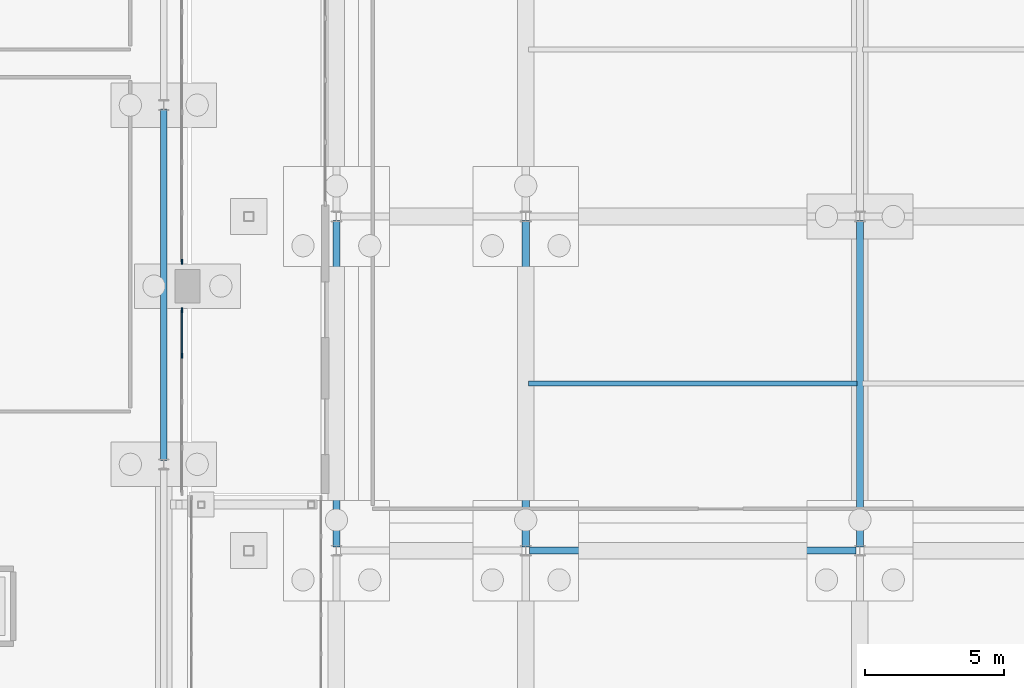
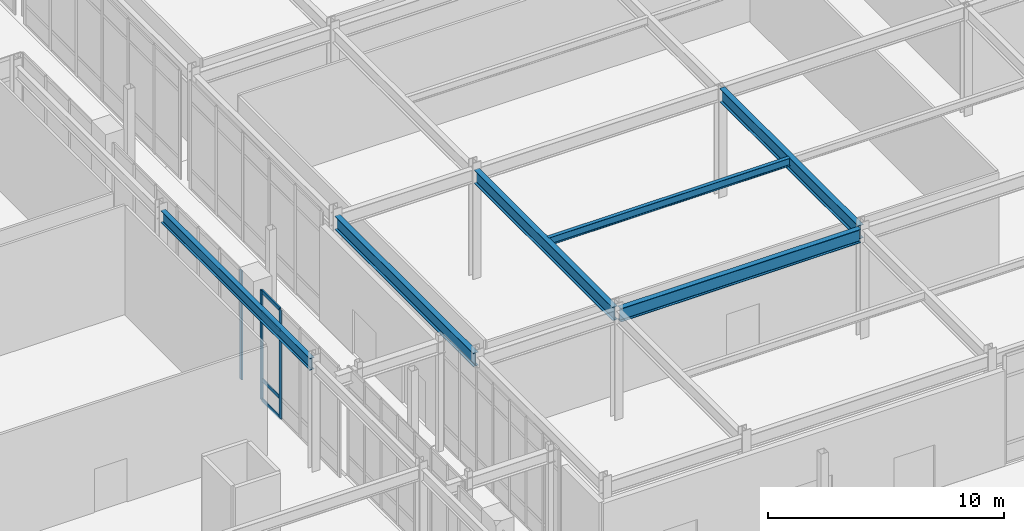
# One storey, part 58 of 143: 7 members, 6 beams, 2 elements without a shape of their own.
"""IFC4 building model written with IfcOpenShell, lengths in metres."""

from ifc_helpers import new_model, si_unit, derived_unit, direction, frame, origin, origin_2d, place, context, subcontext, project, spatial, rectangle, i_section, extrude, material, layer, layer_set, material_profile, profile_set, type_object, element, aggregate, save


model = new_model("IFC4")

# Units and contexts
model_context = context("Model", 3, precision=1e-05, world=origin(), true_north=direction((0.0, 1.0)))
body_context = subcontext(model_context, "Body", "Model", "MODEL_VIEW")
ifc_project = project(units=[si_unit("LENGTHUNIT", "METRE"), si_unit("AREAUNIT", "SQUARE_METRE"), si_unit("VOLUMEUNIT", "CUBIC_METRE"), si_unit("PLANEANGLEUNIT", "RADIAN"), si_unit("MASSUNIT", "GRAM", prefix="KILO"), derived_unit("THERMALTRANSMITTANCEUNIT", [(si_unit("MASSUNIT", "GRAM", prefix="KILO"), 1), (si_unit("TIMEUNIT", "SECOND"), -3), (si_unit("THERMODYNAMICTEMPERATUREUNIT", "KELVIN"), -1)])], contexts=[model_context])

# Site, building, storey
site_placement = place(None, origin())
site = spatial("IfcSite", under=ifc_project, at=site_placement, CompositionType="ELEMENT")
building_placement = place(site_placement, origin())
building = spatial("IfcBuilding", under=site, at=building_placement, Name="Valcora Ridge Arena", CompositionType="ELEMENT")
storey_placement = place(building_placement, origin())
storey = spatial("IfcBuildingStorey", under=building, at=storey_placement, Name="L00", CompositionType="ELEMENT", Elevation=0.0)

# Beams
ifc_material_1 = material(Name="Steel ASTM A572 Grade 50", Category="steel")
ifc_material_profile_1 = material_profile(ifc_material_1, i_section(OverallWidth=0.22900390625, OverallDepth=0.612060546875, WebThickness=0.011962890625, FlangeThickness=0.01953125, FilletRadius=0.01806640625, at=origin_2d()), Name="W24X84")
ifc_profile_set_1 = profile_set([ifc_material_profile_1], Name="Steel ASTM A572 Grade 50")
beam_type_1 = type_object("IfcBeamType", Name="TY-BEAM-G-W24X84-Y", PredefinedType="BEAM", material=ifc_profile_set_1)
beam_1_placement = place(storey_placement, frame((131.0, 19.239990234375, 5.333984375), z_axis=(0.0, 1.0, 0.0), x_axis=(-1.0, 0.0, 0.0)))
element("IfcBeam", 1, at=beam_1_placement, inside=storey, type_object=beam_type_1, Name="G-W24X84-Y BEM-G-W24X84-Y-0007", PredefinedType="BEAM", context=body_context, shape_type="SweptSolid", body=[
    extrude(i_section(OverallWidth=0.22900390625, OverallDepth=0.612060546875, WebThickness=0.011962890625, FlangeThickness=0.01953125, FilletRadius=0.01806640625, at=origin_2d()), origin(), (0.0, 0.0, 1.0), 12.6201171875),
])
ifc_material_profile_2 = material_profile(ifc_material_1, i_section(OverallWidth=0.256103515625, OverallDepth=0.693115234375, WebThickness=0.014404296875, FlangeThickness=0.023681640625, FilletRadius=0.02001953125, at=origin_2d()), Name="W27X114")
ifc_profile_set_2 = profile_set([ifc_material_profile_2], Name="Steel ASTM A572 Grade 50")
beam_type_2 = type_object("IfcBeamType", Name="TY-BEAM-G-W27X114-X", PredefinedType="BEAM", material=ifc_profile_set_2)
beam_2_placement = place(storey_placement, frame((144.139892578125, 16.0, 5.2734375), z_axis=(1.0, 0.0, 0.0), x_axis=(0.0, 1.0, 0.0)))
element("IfcBeam", 2, at=beam_2_placement, inside=storey, type_object=beam_type_2, Name="G-W27X114-X BEM-G-W27X114-X-0002", PredefinedType="BEAM", context=body_context, shape_type="SweptSolid", body=[
    extrude(i_section(OverallWidth=0.256103515625, OverallDepth=0.693115234375, WebThickness=0.014404296875, FlangeThickness=0.023681640625, FilletRadius=0.02001953125, at=origin_2d()), origin(), (0.0, 0.0, 1.0), 11.72021484375),
])
ifc_material_profile_3 = material_profile(ifc_material_1, i_section(OverallWidth=0.256103515625, OverallDepth=0.693115234375, WebThickness=0.014404296875, FlangeThickness=0.023681640625, FilletRadius=0.02001953125, at=origin_2d()), Name="W27X114")
ifc_profile_set_3 = profile_set([ifc_material_profile_3], Name="Steel ASTM A572 Grade 50")
beam_type_3 = type_object("IfcBeamType", Name="TY-BEAM-G-W27X114-Y", PredefinedType="BEAM", material=ifc_profile_set_3)
for number, where, z_axis, x_axis, name in (
    (3, (137.199951171875, 16.139892578125, 5.2734375), (0.0, 1.0, 0.0), (-1.0, 0.0, 0.0), "G-W27X114-Y BEM-G-W27X114-Y-0002"),
    (4, (144.0, 16.139892578125, 5.2734375), (0.0, 1.0, 0.0), (-1.0, 0.0, 0.0), "G-W27X114-Y BEM-G-W27X114-Y-0008"),
    (5, (156.0, 16.139892578125, 5.2734375), (0.0, 1.0, 0.0), (-1.0, 0.0, 0.0), "G-W27X114-Y BEM-G-W27X114-Y-0014"),
):
    element("IfcBeam", number, at=place(storey_placement, frame(where, z_axis=z_axis, x_axis=x_axis)), inside=storey, type_object=beam_type_3, Name=name, PredefinedType="BEAM", context=body_context, shape_type="SweptSolid", body=[
        extrude(i_section(OverallWidth=0.256103515625, OverallDepth=0.693115234375, WebThickness=0.014404296875, FlangeThickness=0.023681640625, FilletRadius=0.02001953125, at=origin_2d()), origin(), (0.0, 0.0, 1.0), 11.72021484375),
    ])
ifc_material_profile_4 = material_profile(ifc_material_1, i_section(OverallWidth=0.177978515625, OverallDepth=0.406005859375, WebThickness=0.0078125, FlangeThickness=0.0126953125, FilletRadius=0.013916015625, at=origin_2d()), Name="W16X40")
ifc_profile_set_4 = profile_set([ifc_material_profile_4], Name="Steel ASTM A572 Grade 50")
beam_type_4 = type_object("IfcBeamType", Name="TY-BEAM-J-W16X40", PredefinedType="JOIST", material=ifc_profile_set_4)
beam_3_placement = place(storey_placement, frame((144.10009765625, 22.0, 5.4169921875), z_axis=(1.0, 0.0, 0.0), x_axis=(0.0, 1.0, 0.0)))
element("IfcBeam", 6, at=beam_3_placement, inside=storey, type_object=beam_type_4, Name="J-W16X40 BEM-J-W16X40-0002", PredefinedType="JOIST", context=body_context, shape_type="SweptSolid", body=[
    extrude(i_section(OverallWidth=0.177978515625, OverallDepth=0.406005859375, WebThickness=0.0078125, FlangeThickness=0.0126953125, FilletRadius=0.013916015625, at=origin_2d()), origin(), (0.0, 0.0, 1.0), 11.7998046875),
])

# Curtain wall, members
ifc_material_2 = material(Name="Anodised dark bronze architectural aluminium 6063-T6", Category="aluminium")
ifc_layer_1 = layer(ifc_material_2, 0.179931640625, Name="Anodised dark bronze architectural aluminium 6063-T6")
ifc_layer_set_1 = layer_set([ifc_layer_1], Name="Anodised dark bronze architectural aluminium 6063-T6")
curtain_wall_type_1 = type_object("IfcCurtainWallType", Name="TY-CURTAINWALL-CW-V3-LANCET-066X56", PredefinedType="NOTDEFINED", material=ifc_layer_set_1)
curtain_wall_1_placement = place(storey_placement, origin())
curtain_wall_1 = element("IfcCurtainWall", 7, at=curtain_wall_1_placement, inside=storey, type_object=curtain_wall_type_1, Name="CW-V3-LANCET-066X56 CW-0004", PredefinedType="NOTDEFINED")
ifc_material_profile_5 = material_profile(ifc_material_2, rectangle(XDim=0.06005859375, YDim=0.179931640625, at=origin_2d()), Name="ALU MULLION 60x180")
ifc_profile_set_5 = profile_set([ifc_material_profile_5], Name="Anodised dark bronze architectural aluminium 6063-T6")
member_type_1 = type_object("IfcMemberType", Name="TY-MEM-CWM-60x180", PredefinedType="MULLION", material=ifc_profile_set_5)
member_1_placement = place(storey_placement, frame((131.64990234375, 23.007568359375, 0.0), z_axis=(0.0, 0.0, 1.0), x_axis=(-1.0, 0.0, 0.0)))
member_1 = element("IfcMember", 8, at=member_1_placement, type_object=member_type_1, Name="CW-0004/CWM-60x180/M03", PredefinedType="MULLION", context=body_context, shape_type="SweptSolid", body=[
    extrude(rectangle(XDim=0.06005859375, YDim=0.179931640625, at=origin_2d()), origin(), (0.0, 0.0, 1.0), 5.639892578125),
])
member_2_placement = place(storey_placement, frame((131.64990234375, 24.6298828125, 0.0), z_axis=(0.0, 0.0, 1.0), x_axis=(-1.0, 0.0, 0.0)))
member_2 = element("IfcMember", 9, at=member_2_placement, type_object=member_type_1, Name="CW-0004/CWM-60x180/M04", PredefinedType="MULLION", context=body_context, shape_type="SweptSolid", body=[
    extrude(rectangle(XDim=0.06005859375, YDim=0.179931640625, at=origin_2d()), origin(), (0.0, 0.0, 1.0), 5.639892578125),
])

# Curtain wall, member
ifc_layer_2 = layer(ifc_material_2, 0.179931640625, Name="Anodised dark bronze architectural aluminium 6063-T6")
ifc_layer_set_2 = layer_set([ifc_layer_2], Name="Anodised dark bronze architectural aluminium 6063-T6")
curtain_wall_type_2 = type_object("IfcCurtainWallType", Name="TY-CURTAINWALL-CW-V3-LANCET-108X56", PredefinedType="NOTDEFINED", material=ifc_layer_set_2)
curtain_wall_2_placement = place(storey_placement, origin())
curtain_wall_2 = element("IfcCurtainWall", 10, at=curtain_wall_2_placement, inside=storey, type_object=curtain_wall_type_2, Name="CW-V3-LANCET-108X56 CW-0005", PredefinedType="NOTDEFINED")
member_3_placement = place(storey_placement, frame((131.64990234375, 26.3701171875, 0.0), z_axis=(0.0, 0.0, 1.0), x_axis=(-1.0, 0.0, 0.0)))
member_3 = element("IfcMember", 11, at=member_3_placement, type_object=member_type_1, Name="CW-0005/CWM-60x180/M00", PredefinedType="MULLION", context=body_context, shape_type="SweptSolid", body=[
    extrude(rectangle(XDim=0.06005859375, YDim=0.179931640625, at=origin_2d()), origin(), (0.0, 0.0, 1.0), 5.639892578125),
])
aggregate(curtain_wall_2, [member_3])

# Member
ifc_material_profile_6 = material_profile(ifc_material_2, rectangle(XDim=0.06005859375, YDim=0.179931640625, at=origin_2d()), Name="ALU TRANSOM 60x180")
ifc_profile_set_6 = profile_set([ifc_material_profile_6], Name="Anodised dark bronze architectural aluminium 6063-T6")
member_type_2 = type_object("IfcMemberType", Name="TY-MEM-CWT-60x180", PredefinedType="USERDEFINED", material=ifc_profile_set_6)
member_4_placement = place(storey_placement, frame((131.64990234375, 23.0380859375, 0.030029296875), z_axis=(0.0, 1.0, 0.0), x_axis=(-1.0, 0.0, 0.0)))
member_4 = element("IfcMember", 12, at=member_4_placement, type_object=member_type_2, Name="CW-0004/CWT-60x180/T03-00", ObjectType="TRANSOM", PredefinedType="USERDEFINED", context=body_context, shape_type="SweptSolid", body=[
    extrude(rectangle(XDim=0.06005859375, YDim=0.179931640625, at=origin_2d()), origin(), (0.0, 0.0, 1.0), 1.56201171875),
])

member_5_placement = place(storey_placement, frame((131.64990234375, 23.0380859375, 1.050048828125), z_axis=(0.0, 1.0, 0.0), x_axis=(-1.0, 0.0, 0.0)))
member_5 = element("IfcMember", 13, at=member_5_placement, type_object=member_type_2, Name="CW-0004/CWT-60x180/T03-01", ObjectType="TRANSOM", PredefinedType="USERDEFINED", context=body_context, shape_type="SweptSolid", body=[
    extrude(rectangle(XDim=0.06005859375, YDim=0.179931640625, at=origin_2d()), origin(), (0.0, 0.0, 1.0), 1.56201171875),
])

member_6_placement = place(storey_placement, frame((131.64990234375, 23.0380859375, 4.5400390625), z_axis=(0.0, 1.0, 0.0), x_axis=(-1.0, 0.0, 0.0)))
member_6 = element("IfcMember", 14, at=member_6_placement, type_object=member_type_2, Name="CW-0004/CWT-60x180/T03-02", ObjectType="TRANSOM", PredefinedType="USERDEFINED", context=body_context, shape_type="SweptSolid", body=[
    extrude(rectangle(XDim=0.06005859375, YDim=0.179931640625, at=origin_2d()), origin(), (0.0, 0.0, 1.0), 1.56201171875),
])

member_7_placement = place(storey_placement, frame((131.64990234375, 23.0380859375, 5.610107421875), z_axis=(0.0, 1.0, 0.0), x_axis=(-1.0, 0.0, 0.0)))
member_7 = element("IfcMember", 15, at=member_7_placement, type_object=member_type_2, Name="CW-0004/CWT-60x180/T03-03", ObjectType="TRANSOM", PredefinedType="USERDEFINED", context=body_context, shape_type="SweptSolid", body=[
    extrude(rectangle(XDim=0.06005859375, YDim=0.179931640625, at=origin_2d()), origin(), (0.0, 0.0, 1.0), 1.56201171875),
])

aggregate(curtain_wall_1, [member_1, member_2, member_4, member_5, member_6, member_7])

save(model, "model.ifc")
